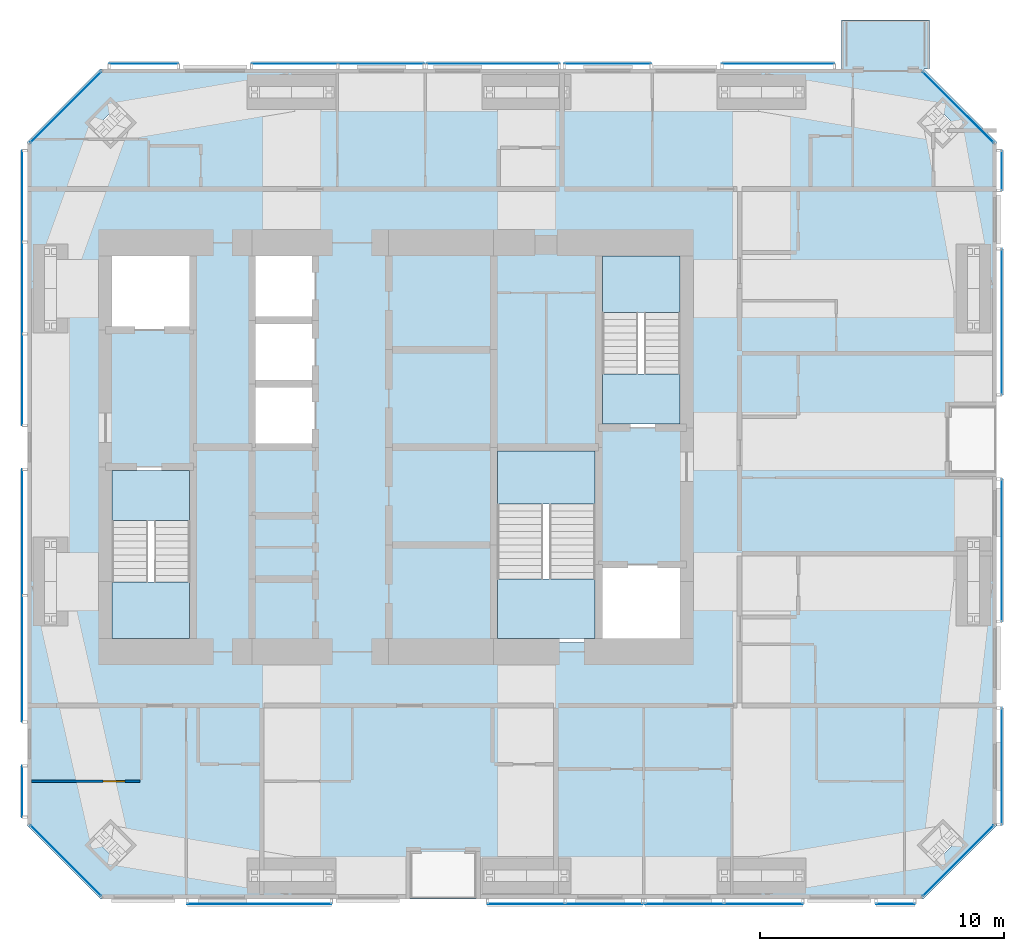
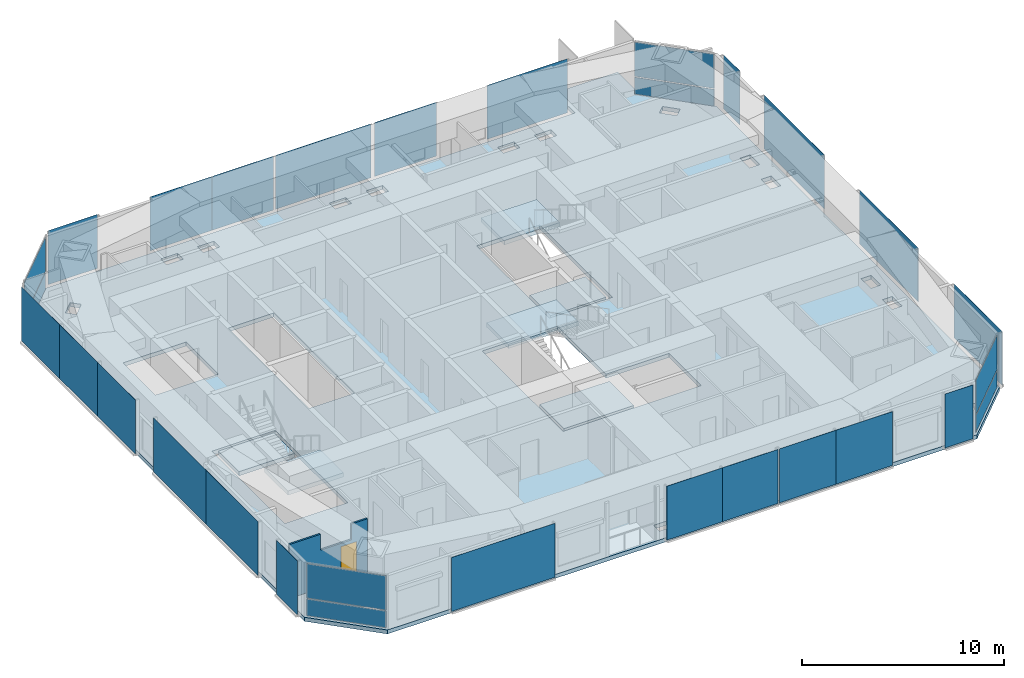
# One storey, part 12 of 19: 30 plates, 7 slabs, 1 door, 1 wall, 1 opening, 23 elements without a shape of their own.
"""IFC4 building model written with IfcOpenShell, lengths in metres."""

from ifc_helpers import new_model, si_unit, direction, frame, frame_2d, origin, origin_2d, place, context, subcontext, project, spatial, polyline, rectangle, outline, extrude, material, layer, layer_set, constituent, constituent_set, type_object, element, fill, aggregate, save


model = new_model("IFC4")

# Units and contexts
model_context = context("Model", 3, precision=1e-05, world=origin(), true_north=direction((0.0, 1.0)))
body_context = subcontext(model_context, "Body", "Model", "MODEL_VIEW")
ifc_project = project(units=[si_unit("LENGTHUNIT", "METRE"), si_unit("AREAUNIT", "SQUARE_METRE"), si_unit("VOLUMEUNIT", "CUBIC_METRE"), si_unit("PLANEANGLEUNIT", "RADIAN"), si_unit("MASSUNIT", "GRAM", prefix="KILO")], contexts=[model_context])

# Site, building, storey
site_placement = place(None, origin())
site = spatial("IfcSite", under=ifc_project, at=site_placement, CompositionType="ELEMENT")
building_placement = place(site_placement, origin())
building = spatial("IfcBuilding", under=site, at=building_placement, Name="Jalousie Tower", CompositionType="ELEMENT")
storey_placement = place(building_placement, frame((0.0, 0.0, 221.449951171875)))
storey = spatial("IfcBuildingStorey", under=building, at=storey_placement, Name="L60", CompositionType="ELEMENT", Elevation=221.449951171875)

# Curtain wall, plates
ifc_material_1 = material(Name="Aluminium curtain wall", Category="aluminium")
curtain_wall_type_1 = type_object("IfcCurtainWallType", Name="CORNER WINDOW WALL", PredefinedType="USERDEFINED", material=ifc_material_1)
curtain_wall_1_placement = place(storey_placement, origin())
curtain_wall_1 = element("IfcCurtainWall", 1, at=curtain_wall_1_placement, inside=storey, type_object=curtain_wall_type_1, Name="Corner Window Wall L60 2", ObjectType="CORNER WINDOW WALL", PredefinedType="USERDEFINED")
ifc_material_2 = material(Name="Laminated impact-rated spandrel glass", Category="glass")
ifc_layer_1 = layer(ifc_material_2, 0.028076171875)
ifc_layer_set_1 = layer_set([ifc_layer_1], Name="Laminated impact-rated spandrel glass")
plate_type_1 = type_object("IfcPlateType", Name="CORNER WINDOW WALL PANEL", PredefinedType="CURTAIN_PANEL", material=ifc_layer_set_1)
plate_1_placement = place(storey_placement, frame((54.9306640625, 1.5693359375, 0.06005859375), z_axis=(0.0, 0.0, 1.0), x_axis=(0.707106781187, 0.707106781187, 0.0)))
plate_1 = element("IfcPlate", 2, at=plate_1_placement, type_object=plate_type_1, Name="CW-C panel 1.1", PredefinedType="CURTAIN_PANEL", context=body_context, shape_type="SweptSolid", body=[
    extrude(rectangle(XDim=4.071533203125, YDim=0.028076171875, at=origin_2d()), origin(), (0.0, 0.0, 1.0), 1.010009765625),
])
plate_2_placement = place(storey_placement, frame((54.9306640625, 1.5693359375, 1.1298828125), z_axis=(0.0, 0.0, 1.0), x_axis=(0.707106781187, 0.707106781187, 0.0)))
plate_2 = element("IfcPlate", 3, at=plate_2_placement, type_object=plate_type_1, Name="CW-C panel 1.2", PredefinedType="CURTAIN_PANEL", context=body_context, shape_type="SweptSolid", body=[
    extrude(rectangle(XDim=4.071533203125, YDim=0.028076171875, at=origin_2d()), origin(), (0.0, 0.0, 1.0), 2.070068359375),
])
aggregate(curtain_wall_1, [plate_1, plate_2])

curtain_wall_2_placement = place(storey_placement, origin())
curtain_wall_2 = element("IfcCurtainWall", 4, at=curtain_wall_2_placement, inside=storey, type_object=curtain_wall_type_1, Name="Corner Window Wall L60 4", ObjectType="CORNER WINDOW WALL", PredefinedType="USERDEFINED")
plate_3_placement = place(storey_placement, frame((54.9306640625, 32.4306640625, 0.06005859375), z_axis=(0.0, 0.0, 1.0), x_axis=(-0.707106781187, 0.707106781187, 0.0)))
plate_3 = element("IfcPlate", 5, at=plate_3_placement, type_object=plate_type_1, Name="CW-C panel 1.1", PredefinedType="CURTAIN_PANEL", context=body_context, shape_type="SweptSolid", body=[
    extrude(rectangle(XDim=4.071533203125, YDim=0.028076171875, at=origin_2d()), origin(), (0.0, 0.0, 1.0), 1.010009765625),
])
plate_4_placement = place(storey_placement, frame((54.9306640625, 32.4306640625, 1.1298828125), z_axis=(0.0, 0.0, 1.0), x_axis=(-0.707106781187, 0.707106781187, 0.0)))
plate_4 = element("IfcPlate", 6, at=plate_4_placement, type_object=plate_type_1, Name="CW-C panel 1.2", PredefinedType="CURTAIN_PANEL", context=body_context, shape_type="SweptSolid", body=[
    extrude(rectangle(XDim=4.071533203125, YDim=0.028076171875, at=origin_2d()), origin(), (0.0, 0.0, 1.0), 2.070068359375),
])
aggregate(curtain_wall_2, [plate_3, plate_4])

curtain_wall_3_placement = place(storey_placement, origin())
curtain_wall_3 = element("IfcCurtainWall", 7, at=curtain_wall_3_placement, inside=storey, type_object=curtain_wall_type_1, Name="Corner Window Wall L60 6", ObjectType="CORNER WINDOW WALL", PredefinedType="USERDEFINED")
plate_5_placement = place(storey_placement, frame((18.369384765625, 32.4306640625, 0.06005859375), z_axis=(0.0, 0.0, 1.0), x_axis=(-0.707106781187, -0.707106781187, 0.0)))
plate_5 = element("IfcPlate", 8, at=plate_5_placement, type_object=plate_type_1, Name="CW-C panel 1.1", PredefinedType="CURTAIN_PANEL", context=body_context, shape_type="SweptSolid", body=[
    extrude(rectangle(XDim=4.071533203125, YDim=0.028076171875, at=origin_2d()), origin(), (0.0, 0.0, 1.0), 1.010009765625),
])
plate_6_placement = place(storey_placement, frame((18.369384765625, 32.4306640625, 1.1298828125), z_axis=(0.0, 0.0, 1.0), x_axis=(-0.707106781187, -0.707106781187, 0.0)))
plate_6 = element("IfcPlate", 9, at=plate_6_placement, type_object=plate_type_1, Name="CW-C panel 1.2", PredefinedType="CURTAIN_PANEL", context=body_context, shape_type="SweptSolid", body=[
    extrude(rectangle(XDim=4.071533203125, YDim=0.028076171875, at=origin_2d()), origin(), (0.0, 0.0, 1.0), 2.070068359375),
])
aggregate(curtain_wall_3, [plate_5, plate_6])

curtain_wall_4_placement = place(storey_placement, origin())
curtain_wall_4 = element("IfcCurtainWall", 10, at=curtain_wall_4_placement, inside=storey, type_object=curtain_wall_type_1, Name="Corner Window Wall L60 8", ObjectType="CORNER WINDOW WALL", PredefinedType="USERDEFINED")
plate_7_placement = place(storey_placement, frame((18.369384765625, 1.5693359375, 0.06005859375), z_axis=(0.0, 0.0, 1.0), x_axis=(0.707106781187, -0.707106781187, 0.0)))
plate_7 = element("IfcPlate", 11, at=plate_7_placement, type_object=plate_type_1, Name="CW-C panel 1.1", PredefinedType="CURTAIN_PANEL", context=body_context, shape_type="SweptSolid", body=[
    extrude(rectangle(XDim=4.071533203125, YDim=0.028076171875, at=origin_2d()), origin(), (0.0, 0.0, 1.0), 1.010009765625),
])
plate_8_placement = place(storey_placement, frame((18.369384765625, 1.5693359375, 1.1298828125), z_axis=(0.0, 0.0, 1.0), x_axis=(0.707106781187, -0.707106781187, 0.0)))
plate_8 = element("IfcPlate", 12, at=plate_8_placement, type_object=plate_type_1, Name="CW-C panel 1.2", PredefinedType="CURTAIN_PANEL", context=body_context, shape_type="SweptSolid", body=[
    extrude(rectangle(XDim=4.071533203125, YDim=0.028076171875, at=origin_2d()), origin(), (0.0, 0.0, 1.0), 2.070068359375),
])
aggregate(curtain_wall_4, [plate_7, plate_8])

# Slab
ifc_material_3 = material(Name="Concrete f'c 40 MPa", Category="concrete")
ifc_layer_2 = layer(ifc_material_3, 0.239990234375)
ifc_layer_set_2 = layer_set([ifc_layer_2], Name="Concrete f'c 40 MPa")
slab_type_1 = type_object("IfcSlabType", Name="FLOOR SLAB 240", PredefinedType="FLOOR", material=ifc_layer_set_2)
slab_1_placement = place(storey_placement, frame((0.0, 0.0, -0.239990234375)))
element("IfcSlab", 13, at=slab_1_placement, inside=storey, type_object=slab_type_1, Name="L60 floor slab", PredefinedType="FLOOR", context=body_context, shape_type="SweptSolid", body=[
    extrude(outline(polyline([(16.800048828125, 3.0), (16.800048828125, 31.0), (19.800048828125, 34.0), (50.148681640625, 34.0), (50.148681640625, 36.0), (53.748779296875, 36.0), (53.748779296875, 34.0), (53.5, 34.0), (56.5, 31.0), (56.5, 3.0), (53.5, 0.0), (19.800048828125, 0.0), (16.800048828125, 3.0)]), holes=[polyline([(55.836181640625, 26.52490234375), (55.263916015625, 26.52490234375), (55.263916015625, 25.574462890625), (55.836181640625, 25.574462890625), (55.836181640625, 26.52490234375)]), polyline([(55.836181640625, 23.47509765625), (55.836181640625, 24.425537109375), (55.263916015625, 24.425537109375), (55.263916015625, 23.47509765625), (55.836181640625, 23.47509765625)]), polyline([(55.836181640625, 13.574462890625), (55.836181640625, 14.52490234375), (55.263916015625, 14.52490234375), (55.263916015625, 13.574462890625), (55.836181640625, 13.574462890625)]), polyline([(55.836181640625, 11.47509765625), (55.836181640625, 12.425537109375), (55.263916015625, 12.425537109375), (55.263916015625, 11.47509765625), (55.836181640625, 11.47509765625)]), polyline([(54.177001953125, 1.6865234375), (54.8134765625, 2.322998046875), (54.40869140625, 2.727783203125), (53.772216796875, 2.09130859375), (54.177001953125, 1.6865234375)]), polyline([(53.772216796875, 31.90869140625), (54.40869140625, 31.272216796875), (54.8134765625, 31.677001953125), (54.177001953125, 32.3134765625), (53.772216796875, 31.90869140625)]), polyline([(47.449462890625, 33.336181640625), (47.449462890625, 32.763916015625), (48.39990234375, 32.763916015625), (48.39990234375, 33.336181640625), (47.449462890625, 33.336181640625)]), polyline([(47.449462890625, 1.236083984375), (47.449462890625, 0.663818359375), (48.39990234375, 0.663818359375), (48.39990234375, 1.236083984375), (47.449462890625, 1.236083984375)]), polyline([(46.300537109375, 33.336181640625), (45.35009765625, 33.336181640625), (45.35009765625, 32.763916015625), (46.300537109375, 32.763916015625), (46.300537109375, 33.336181640625)]), polyline([(46.300537109375, 0.663818359375), (46.300537109375, 1.236083984375), (45.35009765625, 1.236083984375), (45.35009765625, 0.663818359375), (46.300537109375, 0.663818359375)]), polyline([(43.800048828125, 19.300048828125), (43.800048828125, 26.5), (40.199951171875, 26.5), (40.199951171875, 19.300048828125), (43.800048828125, 19.300048828125)]), polyline([(43.800048828125, 10.5), (43.800048828125, 13.699951171875), (40.199951171875, 13.699951171875), (40.199951171875, 18.5), (35.89990234375, 18.5), (35.89990234375, 10.5), (43.800048828125, 10.5)]), polyline([(37.824462890625, 32.763916015625), (38.77490234375, 32.763916015625), (38.77490234375, 33.336181640625), (37.824462890625, 33.336181640625), (37.824462890625, 32.763916015625)]), polyline([(37.824462890625, 0.663818359375), (38.77490234375, 0.663818359375), (38.77490234375, 1.236083984375), (37.824462890625, 1.236083984375), (37.824462890625, 0.663818359375)]), polyline([(36.675537109375, 1.236083984375), (35.72509765625, 1.236083984375), (35.72509765625, 0.663818359375), (36.675537109375, 0.663818359375), (36.675537109375, 1.236083984375)]), polyline([(36.675537109375, 33.336181640625), (35.72509765625, 33.336181640625), (35.72509765625, 32.763916015625), (36.675537109375, 32.763916015625), (36.675537109375, 33.336181640625)]), polyline([(29.14990234375, 33.336181640625), (28.199462890625, 33.336181640625), (28.199462890625, 32.763916015625), (29.14990234375, 32.763916015625), (29.14990234375, 33.336181640625)]), polyline([(28.199462890625, 0.663818359375), (29.14990234375, 0.663818359375), (29.14990234375, 1.236083984375), (28.199462890625, 1.236083984375), (28.199462890625, 0.663818359375)]), polyline([(28.60009765625, 18.5), (28.60009765625, 26.5), (26.0, 26.5), (26.0, 18.5), (28.60009765625, 18.5)]), polyline([(26.10009765625, 32.763916015625), (27.050537109375, 32.763916015625), (27.050537109375, 33.336181640625), (26.10009765625, 33.336181640625), (26.10009765625, 32.763916015625)]), polyline([(26.10009765625, 0.663818359375), (27.050537109375, 0.663818359375), (27.050537109375, 1.236083984375), (26.10009765625, 1.236083984375), (26.10009765625, 0.663818359375)]), polyline([(23.60009765625, 23.300048828125), (23.60009765625, 26.5), (20.0, 26.5), (20.0, 23.300048828125), (23.60009765625, 23.300048828125)]), polyline([(23.60009765625, 10.5), (23.60009765625, 17.699951171875), (20.0, 17.699951171875), (20.0, 10.5), (23.60009765625, 10.5)]), polyline([(19.6865234375, 31.677001953125), (20.09130859375, 31.272216796875), (20.727783203125, 31.90869140625), (20.322998046875, 32.3134765625), (19.6865234375, 31.677001953125)]), polyline([(19.6865234375, 2.322998046875), (20.322998046875, 1.6865234375), (20.727783203125, 2.09130859375), (20.09130859375, 2.727783203125), (19.6865234375, 2.322998046875)]), polyline([(17.4638671875, 24.425537109375), (17.4638671875, 23.47509765625), (18.0361328125, 23.47509765625), (18.0361328125, 24.425537109375), (17.4638671875, 24.425537109375)]), polyline([(18.0361328125, 25.574462890625), (18.0361328125, 26.52490234375), (17.4638671875, 26.52490234375), (17.4638671875, 25.574462890625), (18.0361328125, 25.574462890625)]), polyline([(18.0361328125, 14.52490234375), (17.4638671875, 14.52490234375), (17.4638671875, 13.574462890625), (18.0361328125, 13.574462890625), (18.0361328125, 14.52490234375)]), polyline([(18.0361328125, 11.47509765625), (18.0361328125, 12.425537109375), (17.4638671875, 12.425537109375), (17.4638671875, 11.47509765625), (18.0361328125, 11.47509765625)])]), origin(), (0.0, 0.0, 1.0), 0.239990234375),
])

# Curtain wall, plate
ifc_material_4 = material(Name="Perforated aluminium sheet", Category="aluminium")
curtain_wall_type_2 = type_object("IfcCurtainWallType", Name="SOLAR SCREEN SS-2", PredefinedType="USERDEFINED", material=ifc_material_4)
curtain_wall_5_placement = place(storey_placement, origin())
curtain_wall_5 = element("IfcCurtainWall", 14, at=curtain_wall_5_placement, inside=storey, type_object=curtain_wall_type_2, Name="Solar screen L60", ObjectType="SOLAR SCREEN SS-2", PredefinedType="USERDEFINED")
ifc_material_5 = material(Name="Perforated aluminium sheet", Category="aluminium")
ifc_layer_3 = layer(ifc_material_5, 0.006103515625)
ifc_layer_set_3 = layer_set([ifc_layer_3], Name="Perforated aluminium sheet")
plate_type_2 = type_object("IfcPlateType", Name="SOLAR SCREEN SS-2 PANEL", PredefinedType="CURTAIN_PANEL", material=ifc_layer_set_3)
plate_9_placement = place(storey_placement, frame((26.300048828125, -0.201171875, 0.0), z_axis=(0.0, 0.0, 1.0), x_axis=(1.0, 0.0, 0.0)))
plate_9 = element("IfcPlate", 15, at=plate_9_placement, type_object=plate_type_2, Name="SS2 perforated panel 1", PredefinedType="CURTAIN_PANEL", context=body_context, shape_type="SweptSolid", body=[
    extrude(rectangle(XDim=5.89990234375, YDim=0.006103515625, at=origin_2d()), origin(), (0.0, 0.0, 1.0), 3.260009765625),
])
aggregate(curtain_wall_5, [plate_9])

# Curtain wall, plates
curtain_wall_6_placement = place(storey_placement, origin())
curtain_wall_6 = element("IfcCurtainWall", 16, at=curtain_wall_6_placement, inside=storey, type_object=curtain_wall_type_2, Name="Solar screen L60", ObjectType="SOLAR SCREEN SS-2", PredefinedType="USERDEFINED")
plate_10_placement = place(storey_placement, frame((37.237548828125, -0.201171875, 0.0), z_axis=(0.0, 0.0, 1.0), x_axis=(1.0, 0.0, 0.0)))
plate_10 = element("IfcPlate", 17, at=plate_10_placement, type_object=plate_type_2, Name="SS2 perforated panel 1", PredefinedType="CURTAIN_PANEL", context=body_context, shape_type="SweptSolid", body=[
    extrude(rectangle(XDim=3.175048828125, YDim=0.006103515625, at=origin_2d()), origin(), (0.0, 0.0, 1.0), 3.260009765625),
])
plate_11_placement = place(storey_placement, frame((40.41259765625, -0.201171875, 0.0), z_axis=(0.0, 0.0, 1.0), x_axis=(1.0, 0.0, 0.0)))
plate_11 = element("IfcPlate", 18, at=plate_11_placement, type_object=plate_type_2, Name="SS2 perforated panel 2", PredefinedType="CURTAIN_PANEL", context=body_context, shape_type="SweptSolid", body=[
    extrude(rectangle(XDim=3.175048828125, YDim=0.006103515625, at=origin_2d()), origin(), (0.0, 0.0, 1.0), 3.260009765625),
])
aggregate(curtain_wall_6, [plate_10, plate_11])

curtain_wall_7_placement = place(storey_placement, origin())
curtain_wall_7 = element("IfcCurtainWall", 19, at=curtain_wall_7_placement, inside=storey, type_object=curtain_wall_type_2, Name="Solar screen L60", ObjectType="SOLAR SCREEN SS-2", PredefinedType="USERDEFINED")
plate_12_placement = place(storey_placement, frame((43.71484375, -0.201171875, 0.0), z_axis=(0.0, 0.0, 1.0), x_axis=(1.0, 0.0, 0.0)))
plate_12 = element("IfcPlate", 20, at=plate_12_placement, type_object=plate_type_2, Name="SS2 perforated panel 1", PredefinedType="CURTAIN_PANEL", context=body_context, shape_type="SweptSolid", body=[
    extrude(rectangle(XDim=3.229736328125, YDim=0.006103515625, at=origin_2d()), origin(), (0.0, 0.0, 1.0), 3.260009765625),
])
plate_13_placement = place(storey_placement, frame((46.944580078125, -0.201171875, 0.0), z_axis=(0.0, 0.0, 1.0), x_axis=(1.0, 0.0, 0.0)))
plate_13 = element("IfcPlate", 21, at=plate_13_placement, type_object=plate_type_2, Name="SS2 perforated panel 2", PredefinedType="CURTAIN_PANEL", context=body_context, shape_type="SweptSolid", body=[
    extrude(rectangle(XDim=3.229736328125, YDim=0.006103515625, at=origin_2d()), origin(), (0.0, 0.0, 1.0), 3.260009765625),
])
aggregate(curtain_wall_7, [plate_12, plate_13])

# Curtain wall, plate
curtain_wall_8_placement = place(storey_placement, origin())
curtain_wall_8 = element("IfcCurtainWall", 22, at=curtain_wall_8_placement, inside=storey, type_object=curtain_wall_type_2, Name="Solar screen L60", ObjectType="SOLAR SCREEN SS-2", PredefinedType="USERDEFINED")
plate_14_placement = place(storey_placement, frame((52.35400390625, -0.201171875, 0.0), z_axis=(0.0, 0.0, 1.0), x_axis=(1.0, 0.0, 0.0)))
plate_14 = element("IfcPlate", 23, at=plate_14_placement, type_object=plate_type_2, Name="SS2 perforated panel 1", PredefinedType="CURTAIN_PANEL", context=body_context, shape_type="SweptSolid", body=[
    extrude(rectangle(XDim=1.58935546875, YDim=0.006103515625, at=origin_2d()), origin(), (0.0, 0.0, 1.0), 3.260009765625),
])
aggregate(curtain_wall_8, [plate_14])

curtain_wall_9_placement = place(storey_placement, origin())
curtain_wall_9 = element("IfcCurtainWall", 24, at=curtain_wall_9_placement, inside=storey, type_object=curtain_wall_type_2, Name="Solar screen L60", ObjectType="SOLAR SCREEN SS-2", PredefinedType="USERDEFINED")
plate_15_placement = place(storey_placement, frame((56.701171875, 5.438232421875, 0.0), z_axis=(0.0, 0.0, 1.0), x_axis=(0.0, 1.0, 0.0)))
plate_15 = element("IfcPlate", 25, at=plate_15_placement, type_object=plate_type_2, Name="SS2 perforated panel 1", PredefinedType="CURTAIN_PANEL", context=body_context, shape_type="SweptSolid", body=[
    extrude(rectangle(XDim=4.773681640625, YDim=0.006103515625, at=origin_2d()), origin(), (0.0, 0.0, 1.0), 3.260009765625),
])
aggregate(curtain_wall_9, [plate_15])

curtain_wall_10_placement = place(storey_placement, origin())
curtain_wall_10 = element("IfcCurtainWall", 26, at=curtain_wall_10_placement, inside=storey, type_object=curtain_wall_type_2, Name="Solar screen L60", ObjectType="SOLAR SCREEN SS-2", PredefinedType="USERDEFINED")
plate_16_placement = place(storey_placement, frame((56.701171875, 14.28369140625, 0.0), z_axis=(0.0, 0.0, 1.0), x_axis=(0.0, 1.0, 0.0)))
plate_16 = element("IfcPlate", 27, at=plate_16_placement, type_object=plate_type_2, Name="SS2 perforated panel 1", PredefinedType="CURTAIN_PANEL", context=body_context, shape_type="SweptSolid", body=[
    extrude(rectangle(XDim=5.83251953125, YDim=0.006103515625, at=origin_2d()), origin(), (0.0, 0.0, 1.0), 3.260009765625),
])
aggregate(curtain_wall_10, [plate_16])

curtain_wall_11_placement = place(storey_placement, origin())
curtain_wall_11 = element("IfcCurtainWall", 28, at=curtain_wall_11_placement, inside=storey, type_object=curtain_wall_type_2, Name="Solar screen L60", ObjectType="SOLAR SCREEN SS-2", PredefinedType="USERDEFINED")
plate_17_placement = place(storey_placement, frame((56.701171875, 23.637451171875, 0.0), z_axis=(0.0, 0.0, 1.0), x_axis=(0.0, 1.0, 0.0)))
plate_17 = element("IfcPlate", 29, at=plate_17_placement, type_object=plate_type_2, Name="SS2 perforated panel 1", PredefinedType="CURTAIN_PANEL", context=body_context, shape_type="SweptSolid", body=[
    extrude(rectangle(XDim=5.97509765625, YDim=0.006103515625, at=origin_2d()), origin(), (0.0, 0.0, 1.0), 3.260009765625),
])
aggregate(curtain_wall_11, [plate_17])

curtain_wall_12_placement = place(storey_placement, origin())
curtain_wall_12 = element("IfcCurtainWall", 30, at=curtain_wall_12_placement, inside=storey, type_object=curtain_wall_type_2, Name="Solar screen L60", ObjectType="SOLAR SCREEN SS-2", PredefinedType="USERDEFINED")
plate_18_placement = place(storey_placement, frame((56.701171875, 29.8369140625, 0.0), z_axis=(0.0, 0.0, 1.0), x_axis=(0.0, 1.0, 0.0)))
plate_18 = element("IfcPlate", 31, at=plate_18_placement, type_object=plate_type_2, Name="SS2 perforated panel 1", PredefinedType="CURTAIN_PANEL", context=body_context, shape_type="SweptSolid", body=[
    extrude(rectangle(XDim=1.623779296875, YDim=0.006103515625, at=origin_2d()), origin(), (0.0, 0.0, 1.0), 3.260009765625),
])
aggregate(curtain_wall_12, [plate_18])

curtain_wall_13_placement = place(storey_placement, origin())
curtain_wall_13 = element("IfcCurtainWall", 32, at=curtain_wall_13_placement, inside=storey, type_object=curtain_wall_type_2, Name="Solar screen L60", ObjectType="SOLAR SCREEN SS-2", PredefinedType="USERDEFINED")
plate_19_placement = place(storey_placement, frame((47.54931640625, 34.201171875, 0.0), z_axis=(0.0, 0.0, 1.0), x_axis=(-1.0, 0.0, 0.0)))
plate_19 = element("IfcPlate", 33, at=plate_19_placement, type_object=plate_type_2, Name="SS2 perforated panel 1", PredefinedType="CURTAIN_PANEL", context=body_context, shape_type="SweptSolid", body=[
    extrude(rectangle(XDim=4.5986328125, YDim=0.006103515625, at=origin_2d()), origin(), (0.0, 0.0, 1.0), 3.260009765625),
])
aggregate(curtain_wall_13, [plate_19])

curtain_wall_14_placement = place(storey_placement, origin())
curtain_wall_14 = element("IfcCurtainWall", 34, at=curtain_wall_14_placement, inside=storey, type_object=curtain_wall_type_2, Name="Solar screen L60", ObjectType="SOLAR SCREEN SS-2", PredefinedType="USERDEFINED")
plate_20_placement = place(storey_placement, frame((40.574951171875, 34.201171875, 0.0), z_axis=(0.0, 0.0, 1.0), x_axis=(-1.0, 0.0, 0.0)))
plate_20 = element("IfcPlate", 35, at=plate_20_placement, type_object=plate_type_2, Name="SS2 perforated panel 1", PredefinedType="CURTAIN_PANEL", context=body_context, shape_type="SweptSolid", body=[
    extrude(rectangle(XDim=3.550048828125, YDim=0.006103515625, at=origin_2d()), origin(), (0.0, 0.0, 1.0), 3.260009765625),
])
aggregate(curtain_wall_14, [plate_20])

curtain_wall_15_placement = place(storey_placement, origin())
curtain_wall_15 = element("IfcCurtainWall", 36, at=curtain_wall_15_placement, inside=storey, type_object=curtain_wall_type_2, Name="Solar screen L60", ObjectType="SOLAR SCREEN SS-2", PredefinedType="USERDEFINED")
plate_21_placement = place(storey_placement, frame((35.875, 34.201171875, 0.0), z_axis=(0.0, 0.0, 1.0), x_axis=(-1.0, 0.0, 0.0)))
plate_21 = element("IfcPlate", 37, at=plate_21_placement, type_object=plate_type_2, Name="SS2 perforated panel 1", PredefinedType="CURTAIN_PANEL", context=body_context, shape_type="SweptSolid", body=[
    extrude(rectangle(XDim=5.449951171875, YDim=0.006103515625, at=origin_2d()), origin(), (0.0, 0.0, 1.0), 3.260009765625),
])
aggregate(curtain_wall_15, [plate_21])

# Curtain wall, plates
curtain_wall_16_placement = place(storey_placement, origin())
curtain_wall_16 = element("IfcCurtainWall", 38, at=curtain_wall_16_placement, inside=storey, type_object=curtain_wall_type_2, Name="Solar screen L60", ObjectType="SOLAR SCREEN SS-2", PredefinedType="USERDEFINED")
plate_22_placement = place(storey_placement, frame((31.284423828125, 34.201171875, 0.0), z_axis=(0.0, 0.0, 1.0), x_axis=(-1.0, 0.0, 0.0)))
plate_22 = element("IfcPlate", 39, at=plate_22_placement, type_object=plate_type_2, Name="SS2 perforated panel 1", PredefinedType="CURTAIN_PANEL", context=body_context, shape_type="SweptSolid", body=[
    extrude(rectangle(XDim=3.531005859375, YDim=0.006103515625, at=origin_2d()), origin(), (0.0, 0.0, 1.0), 3.260009765625),
])
plate_23_placement = place(storey_placement, frame((27.753662109375, 34.201171875, 0.0), z_axis=(0.0, 0.0, 1.0), x_axis=(-1.0, 0.0, 0.0)))
plate_23 = element("IfcPlate", 40, at=plate_23_placement, type_object=plate_type_2, Name="SS2 perforated panel 2", PredefinedType="CURTAIN_PANEL", context=body_context, shape_type="SweptSolid", body=[
    extrude(rectangle(XDim=3.531005859375, YDim=0.006103515625, at=origin_2d()), origin(), (0.0, 0.0, 1.0), 3.260009765625),
])
aggregate(curtain_wall_16, [plate_22, plate_23])

# Curtain wall, plate
curtain_wall_17_placement = place(storey_placement, origin())
curtain_wall_17 = element("IfcCurtainWall", 41, at=curtain_wall_17_placement, inside=storey, type_object=curtain_wall_type_2, Name="Solar screen L60", ObjectType="SOLAR SCREEN SS-2", PredefinedType="USERDEFINED")
plate_24_placement = place(storey_placement, frame((21.569580078125, 34.201171875, 0.0), z_axis=(0.0, 0.0, 1.0), x_axis=(-1.0, 0.0, 0.0)))
plate_24 = element("IfcPlate", 42, at=plate_24_placement, type_object=plate_type_2, Name="SS2 perforated panel 1", PredefinedType="CURTAIN_PANEL", context=body_context, shape_type="SweptSolid", body=[
    extrude(rectangle(XDim=2.8369140625, YDim=0.006103515625, at=origin_2d()), origin(), (0.0, 0.0, 1.0), 3.260009765625),
])
aggregate(curtain_wall_17, [plate_24])

# Curtain wall, plates
curtain_wall_18_placement = place(storey_placement, origin())
curtain_wall_18 = element("IfcCurtainWall", 43, at=curtain_wall_18_placement, inside=storey, type_object=curtain_wall_type_2, Name="Solar screen L60", ObjectType="SOLAR SCREEN SS-2", PredefinedType="USERDEFINED")
plate_25_placement = place(storey_placement, frame((16.598876953125, 28.77392578125, 0.0), z_axis=(0.0, 0.0, 1.0), x_axis=(0.0, -1.0, 0.0)))
plate_25 = element("IfcPlate", 44, at=plate_25_placement, type_object=plate_type_2, Name="SS2 perforated panel 1", PredefinedType="CURTAIN_PANEL", context=body_context, shape_type="SweptSolid", body=[
    extrude(rectangle(XDim=3.74951171875, YDim=0.006103515625, at=origin_2d()), origin(), (0.0, 0.0, 1.0), 3.260009765625),
])
plate_26_placement = place(storey_placement, frame((16.598876953125, 25.0244140625, 0.0), z_axis=(0.0, 0.0, 1.0), x_axis=(0.0, -1.0, 0.0)))
plate_26 = element("IfcPlate", 45, at=plate_26_placement, type_object=plate_type_2, Name="SS2 perforated panel 2", PredefinedType="CURTAIN_PANEL", context=body_context, shape_type="SweptSolid", body=[
    extrude(rectangle(XDim=3.74951171875, YDim=0.006103515625, at=origin_2d()), origin(), (0.0, 0.0, 1.0), 3.260009765625),
])
plate_27_placement = place(storey_placement, frame((16.598876953125, 21.27490234375, 0.0), z_axis=(0.0, 0.0, 1.0), x_axis=(0.0, -1.0, 0.0)))
plate_27 = element("IfcPlate", 46, at=plate_27_placement, type_object=plate_type_2, Name="SS2 perforated panel 3", PredefinedType="CURTAIN_PANEL", context=body_context, shape_type="SweptSolid", body=[
    extrude(rectangle(XDim=3.74951171875, YDim=0.006103515625, at=origin_2d()), origin(), (0.0, 0.0, 1.0), 3.260009765625),
])
aggregate(curtain_wall_18, [plate_25, plate_26, plate_27])

curtain_wall_19_placement = place(storey_placement, origin())
curtain_wall_19 = element("IfcCurtainWall", 47, at=curtain_wall_19_placement, inside=storey, type_object=curtain_wall_type_2, Name="Solar screen L60", ObjectType="SOLAR SCREEN SS-2", PredefinedType="USERDEFINED")
plate_28_placement = place(storey_placement, frame((16.598876953125, 15.012451171875, 0.0), z_axis=(0.0, 0.0, 1.0), x_axis=(0.0, -1.0, 0.0)))
plate_28 = element("IfcPlate", 48, at=plate_28_placement, type_object=plate_type_2, Name="SS2 perforated panel 1", PredefinedType="CURTAIN_PANEL", context=body_context, shape_type="SweptSolid", body=[
    extrude(rectangle(XDim=5.175048828125, YDim=0.006103515625, at=origin_2d()), origin(), (0.0, 0.0, 1.0), 3.260009765625),
])
plate_29_placement = place(storey_placement, frame((16.598876953125, 9.83740234375, 0.0), z_axis=(0.0, 0.0, 1.0), x_axis=(0.0, -1.0, 0.0)))
plate_29 = element("IfcPlate", 49, at=plate_29_placement, type_object=plate_type_2, Name="SS2 perforated panel 2", PredefinedType="CURTAIN_PANEL", context=body_context, shape_type="SweptSolid", body=[
    extrude(rectangle(XDim=5.175048828125, YDim=0.006103515625, at=origin_2d()), origin(), (0.0, 0.0, 1.0), 3.260009765625),
])
aggregate(curtain_wall_19, [plate_28, plate_29])

# Curtain wall, plate
curtain_wall_20_placement = place(storey_placement, origin())
curtain_wall_20 = element("IfcCurtainWall", 50, at=curtain_wall_20_placement, inside=storey, type_object=curtain_wall_type_2, Name="Solar screen L60", ObjectType="SOLAR SCREEN SS-2", PredefinedType="USERDEFINED")
plate_30_placement = place(storey_placement, frame((16.598876953125, 4.400634765625, 0.0), z_axis=(0.0, 0.0, 1.0), x_axis=(0.0, -1.0, 0.0)))
plate_30 = element("IfcPlate", 51, at=plate_30_placement, type_object=plate_type_2, Name="SS2 perforated panel 1", PredefinedType="CURTAIN_PANEL", context=body_context, shape_type="SweptSolid", body=[
    extrude(rectangle(XDim=2.0986328125, YDim=0.006103515625, at=origin_2d()), origin(), (0.0, 0.0, 1.0), 3.260009765625),
])
aggregate(curtain_wall_20, [plate_30])

# Stair, slabs
ifc_material_6 = material(Name="Concrete f'c 40 MPa", Category="concrete")
stair_type = type_object("IfcStairType", Name="EXIT STAIR", PredefinedType="HALF_TURN_STAIR", material=ifc_material_6)
stair_1_placement = place(storey_placement, origin())
stair_1 = element("IfcStair", 52, at=stair_1_placement, inside=storey, type_object=stair_type, Name="Exit stair A L60", PredefinedType="HALF_TURN_STAIR")
ifc_material_7 = material(Name="Concrete f'c 40 MPa", Category="concrete")
ifc_layer_4 = layer(ifc_material_7, 0.25)
ifc_layer_set_4 = layer_set([ifc_layer_4], Name="Concrete f'c 40 MPa")
slab_type_2 = type_object("IfcSlabType", Name="STAIR LANDING 250", PredefinedType="LANDING", material=ifc_layer_set_4)
slab_2_placement = place(storey_placement, frame((0.0, 0.0, -0.25)))
slab_2 = element("IfcSlab", 53, at=slab_2_placement, type_object=slab_type_2, Name="ST-A landing 1", PredefinedType="LANDING", context=body_context, shape_type="SweptSolid", body=[
    extrude(outline(polyline([(20.27490234375, 15.49755859375), (23.449951171875, 15.49755859375), (23.449951171875, 17.550048828125), (20.27490234375, 17.550048828125), (20.27490234375, 15.49755859375)])), origin(), (0.0, 0.0, 1.0), 0.25),
])
slab_3_placement = place(storey_placement, frame((0.0, 0.0, 1.5)))
slab_3 = element("IfcSlab", 54, at=slab_3_placement, type_object=slab_type_2, Name="ST-A landing 2", PredefinedType="LANDING", context=body_context, shape_type="SweptSolid", body=[
    extrude(outline(polyline([(20.27490234375, 10.675048828125), (23.449951171875, 10.675048828125), (23.449951171875, 12.9775390625), (20.27490234375, 12.9775390625), (20.27490234375, 10.675048828125)])), origin(), (0.0, 0.0, 1.0), 0.25),
])
aggregate(stair_1, [slab_2, slab_3])

stair_2_placement = place(storey_placement, origin())
stair_2 = element("IfcStair", 55, at=stair_2_placement, inside=storey, type_object=stair_type, Name="Exit stair B L60", PredefinedType="HALF_TURN_STAIR")
slab_4_placement = place(storey_placement, frame((0.0, 0.0, -0.25)))
slab_4 = element("IfcSlab", 56, at=slab_4_placement, type_object=slab_type_2, Name="ST-B landing 1", PredefinedType="LANDING", context=body_context, shape_type="SweptSolid", body=[
    extrude(outline(polyline([(40.35009765625, 19.449951171875), (43.52490234375, 19.449951171875), (43.52490234375, 21.50244140625), (40.35009765625, 21.50244140625), (40.35009765625, 19.449951171875)])), origin(), (0.0, 0.0, 1.0), 0.25),
])
slab_5_placement = place(storey_placement, frame((0.0, 0.0, 1.5)))
slab_5 = element("IfcSlab", 57, at=slab_5_placement, type_object=slab_type_2, Name="ST-B landing 2", PredefinedType="LANDING", context=body_context, shape_type="SweptSolid", body=[
    extrude(outline(polyline([(40.35009765625, 24.0224609375), (43.52490234375, 24.0224609375), (43.52490234375, 26.324951171875), (40.35009765625, 26.324951171875), (40.35009765625, 24.0224609375)])), origin(), (0.0, 0.0, 1.0), 0.25),
])
aggregate(stair_2, [slab_4, slab_5])

stair_3_placement = place(storey_placement, origin())
stair_3 = element("IfcStair", 58, at=stair_3_placement, inside=storey, type_object=stair_type, Name="Exit stair C L60", PredefinedType="HALF_TURN_STAIR")
slab_6_placement = place(storey_placement, frame((0.0, 0.0, -0.25)))
slab_6 = element("IfcSlab", 59, at=slab_6_placement, type_object=slab_type_2, Name="ST-C landing 1", PredefinedType="LANDING", context=body_context, shape_type="SweptSolid", body=[
    extrude(outline(polyline([(36.050048828125, 10.675048828125), (40.050048828125, 10.675048828125), (40.050048828125, 13.097412109375), (36.050048828125, 13.097412109375), (36.050048828125, 10.675048828125)])), origin(), (0.0, 0.0, 1.0), 0.25),
])
slab_7_placement = place(storey_placement, frame((0.0, 0.0, 1.5)))
slab_7 = element("IfcSlab", 60, at=slab_7_placement, type_object=slab_type_2, Name="ST-C landing 2", PredefinedType="LANDING", context=body_context, shape_type="SweptSolid", body=[
    extrude(outline(polyline([(36.050048828125, 16.177490234375), (40.050048828125, 16.177490234375), (40.050048828125, 18.35009765625), (36.050048828125, 18.35009765625), (36.050048828125, 16.177490234375)])), origin(), (0.0, 0.0, 1.0), 0.25),
])
aggregate(stair_3, [slab_6, slab_7])

# Wall, opening, door
ifc_material_8 = material(Name="Gypsum board", Category="gypsum")
ifc_constituent_1 = constituent(ifc_material_8, Name="Body")
ifc_material_9 = material(Name="Light-gauge steel studs ASTM A653 SS Grade 33", Category="steel")
ifc_constituent_2 = constituent(ifc_material_9, Name="Framing")
ifc_constituent_set = constituent_set(constituents=[ifc_constituent_1, ifc_constituent_2])
wall_type = type_object("IfcWallType", Name="PARTITION 100", PredefinedType="PARTITIONING", material=ifc_constituent_set)
wall_placement = place(storey_placement, frame((16.97509765625, 4.824951171875, 0.0), z_axis=(0.0, 0.0, 1.0), x_axis=(1.0, 0.0, 0.0)))
wall = element("IfcWall", 61, at=wall_placement, inside=storey, type_object=wall_type, Name="Partition 100 L60", PredefinedType="PARTITIONING", context=body_context, shape_type="SweptSolid", body=[
    extrude(outline(polyline([(0.0, 0.0), (4.449951171875, 0.0), (4.449951171875, 3.260009765625), (3.51806640625, 3.260009765625), (3.51806640625, 2.300048828125), (1.754150390625, 2.300048828125), (1.754150390625, 3.260009765625), (0.0, 3.260009765625), (0.0, 0.0)])), frame((0.0, 0.050048828125, 0.0), z_axis=(0.0, -1.0, 0.0), x_axis=(1.0, 0.0, 0.0)), (0.0, 0.0, 1.0), 0.10009765625),
])
opening_placement = place(wall_placement, frame((2.925048828125, 0.0, 0.0)))
opening = element("IfcOpeningElement", 62, at=opening_placement, cuts=wall, Name="Opening D7", PredefinedType="OPENING", context=body_context, shape_type="SweptSolid", body=[
    extrude(rectangle(XDim=0.89990234375, YDim=2.10009765625, at=frame_2d((0.449951171875, 1.050048828125))), frame((0.0, 0.06005859375, 0.0), z_axis=(0.0, -1.0, 0.0), x_axis=(1.0, 0.0, 0.0)), (0.0, 0.0, 1.0), 0.1201171875),
])
ifc_material_10 = material(Name="Timber door", Category="wood")
door_type = type_object("IfcDoorType", Name="INTERNAL DOOR 900", OperationType="SINGLE_SWING_LEFT", PredefinedType="DOOR", material=ifc_material_10)
door_placement = place(opening_placement, origin())
door = element("IfcDoor", 63, at=door_placement, inside=storey, type_object=door_type, Name="Apartment 6001 kitchen door", OperationType="SINGLE_SWING_RIGHT", OverallHeight=2.10009765625, OverallWidth=0.89990234375, PredefinedType="DOOR", context=body_context, shape_type="SweptSolid", body=[
    extrude(rectangle(XDim=0.89990234375, YDim=2.10009765625, at=frame_2d((0.449951171875, 1.050048828125))), frame((0.0, 0.02490234375, 0.0), z_axis=(0.0, -1.0, 0.0), x_axis=(1.0, 0.0, 0.0)), (0.0, 0.0, 1.0), 0.050048828125),
])
fill(opening, door)

save(model, "model.ifc")
